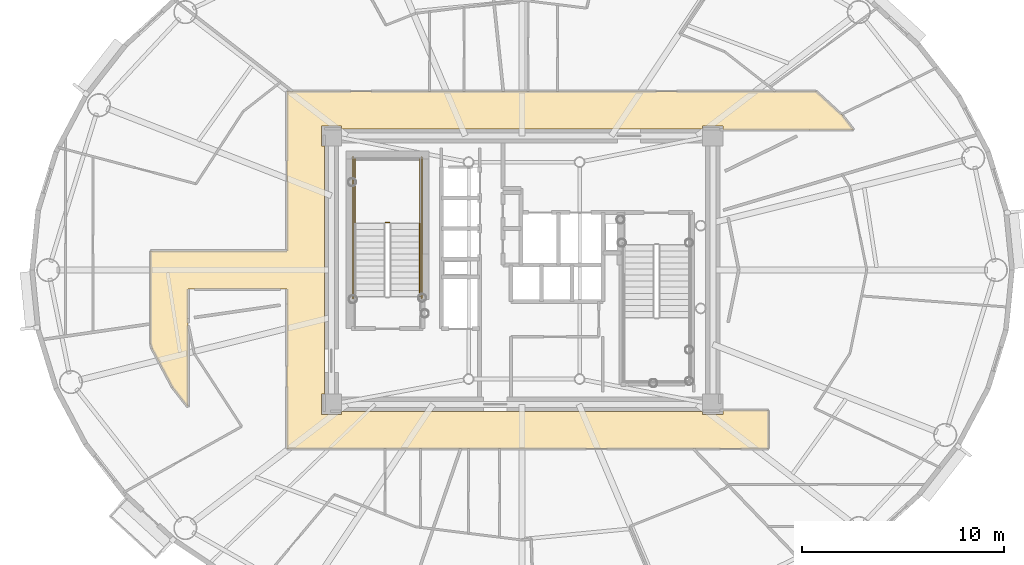
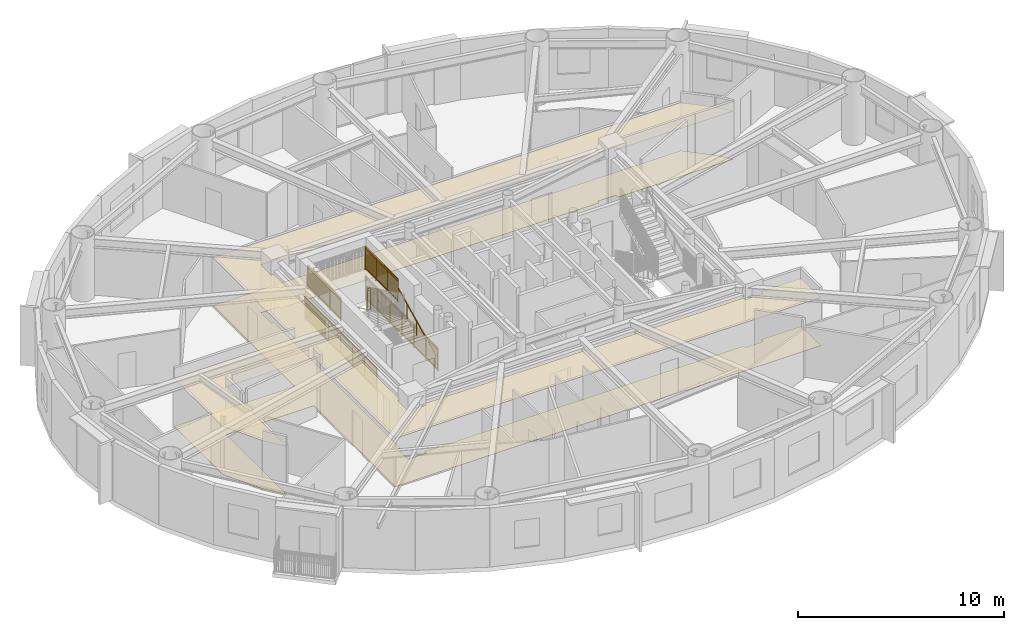
# One storey, part 14 of 18: 6 railings, 2 coverings.
"""IFC4 building model written with IfcOpenShell, lengths in metres."""

from ifc_helpers import new_model, si_unit, direction, frame, origin, origin_2d, place, context, subcontext, project, spatial, polyline, rectangle, outline, extrude, source, transform, mapped, material, layer, layer_set, type_object, element, save


model = new_model("IFC4")

# Units and contexts
model_context = context("Model", 3, precision=1e-05, world=origin(), true_north=direction((0.0, 1.0)))
body_context = subcontext(model_context, "Body", "Model", "MODEL_VIEW")
ifc_project = project(units=[si_unit("LENGTHUNIT", "METRE"), si_unit("AREAUNIT", "SQUARE_METRE"), si_unit("VOLUMEUNIT", "CUBIC_METRE"), si_unit("PLANEANGLEUNIT", "RADIAN"), si_unit("MASSUNIT", "GRAM", prefix="KILO")], contexts=[model_context])

# Site, building, storey
site_placement = place(None, origin())
site = spatial("IfcSite", under=ifc_project, at=site_placement, CompositionType="ELEMENT")
building_placement = place(site_placement, origin())
building = spatial("IfcBuilding", under=site, at=building_placement, Name="Linh Dai School and Residence Tower", CompositionType="ELEMENT")
storey_placement = place(building_placement, frame((0.0, 0.0, 240.300048828125)))
storey = spatial("IfcBuildingStorey", under=building, at=storey_placement, Name="L59", CompositionType="ELEMENT", Elevation=240.300048828125)

# Coverings
ifc_material_1 = material(Name="Mineral Fibre Acoustic Suspended Ceiling", Category="masonry")
ifc_layer_1 = layer(ifc_material_1, 0.02001953125)
ifc_layer_set_1 = layer_set([ifc_layer_1], Name="Mineral Fibre Acoustic Suspended Ceiling")
covering_type_1 = type_object("IfcCoveringType", Name="COV-CEIL-AC-20", PredefinedType="CEILING", material=ifc_layer_set_1)
covering_1_placement = place(storey_placement, frame((0.0, 0.0, 2.849853515625)))
element("IfcCovering", 1, at=covering_1_placement, inside=storey, type_object=covering_type_1, Name="L59 Residential Floor Corridor Suspended Ceiling", PredefinedType="CEILING", context=body_context, shape_type="SweptSolid", body=[
    extrude(outline(polyline([(19.449951171875, 20.211181640625), (18.6806640625, 21.1943359375), (17.66650390625, 23.111083984375), (17.60009765625, 23.327880859375), (17.60009765625, 27.949951171875), (24.35009765625, 27.949951171875), (24.35009765625, 35.85009765625), (50.56787109375, 35.85009765625), (51.873779296875, 34.65283203125), (52.423828125, 33.949951171875), (45.949951171875, 33.949951171875), (45.949951171875, 34.14990234375), (44.949951171875, 34.14990234375), (44.949951171875, 34.0), (27.050048828125, 34.0), (27.050048828125, 34.14990234375), (26.050048828125, 34.14990234375), (26.050048828125, 33.14990234375), (26.199951171875, 33.14990234375), (26.199951171875, 20.85009765625), (26.050048828125, 20.85009765625), (26.050048828125, 19.85009765625), (27.050048828125, 19.85009765625), (27.050048828125, 20.0), (44.949951171875, 20.0), (44.949951171875, 19.85009765625), (45.949951171875, 19.85009765625), (45.949951171875, 20.050048828125), (48.199951171875, 20.050048828125), (48.199951171875, 18.14990234375), (24.35009765625, 18.14990234375), (24.35009765625, 26.050048828125), (19.449951171875, 26.050048828125), (19.449951171875, 20.211181640625)])), origin(), (0.0, 0.0, 1.0), 0.02001953125),
])
ifc_material_2 = material(Name="Polished Terrazzo Floor Finish", Category="masonry")
ifc_layer_2 = layer(ifc_material_2, 0.02490234375)
ifc_layer_set_2 = layer_set([ifc_layer_2], Name="Polished Terrazzo Floor Finish")
covering_type_2 = type_object("IfcCoveringType", Name="COV-FLR-TRZ-25", PredefinedType="FLOORING", material=ifc_layer_set_2)
covering_2_placement = place(storey_placement, origin())
element("IfcCovering", 2, at=covering_2_placement, inside=storey, type_object=covering_type_2, Name="L59 Residential Floor Corridor Floor Finish", PredefinedType="FLOORING", context=body_context, shape_type="SweptSolid", body=[
    extrude(outline(polyline([(19.449951171875, 20.211181640625), (18.6806640625, 21.1943359375), (17.66650390625, 23.111083984375), (17.60009765625, 23.327880859375), (17.60009765625, 27.949951171875), (24.35009765625, 27.949951171875), (24.35009765625, 35.85009765625), (50.56787109375, 35.85009765625), (51.873779296875, 34.65283203125), (52.423828125, 33.949951171875), (45.949951171875, 33.949951171875), (45.949951171875, 34.14990234375), (44.949951171875, 34.14990234375), (44.949951171875, 34.0), (27.050048828125, 34.0), (27.050048828125, 34.14990234375), (26.050048828125, 34.14990234375), (26.050048828125, 33.14990234375), (26.199951171875, 33.14990234375), (26.199951171875, 20.85009765625), (26.050048828125, 20.85009765625), (26.050048828125, 19.85009765625), (27.050048828125, 19.85009765625), (27.050048828125, 20.0), (44.949951171875, 20.0), (44.949951171875, 19.85009765625), (45.949951171875, 19.85009765625), (45.949951171875, 20.050048828125), (48.199951171875, 20.050048828125), (48.199951171875, 18.14990234375), (24.35009765625, 18.14990234375), (24.35009765625, 26.050048828125), (19.449951171875, 26.050048828125), (19.449951171875, 20.211181640625)])), origin(), (0.0, 0.0, 1.0), 0.02001953125),
])

# Railings
ifc_material_3 = material(Name="Structural Steel S355JR", Category="steel")
railing_type_1 = type_object("IfcRailingType", Name="RL-ST-GUARD-1400", PredefinedType="GUARDRAIL", material=ifc_material_3)
shared_shape_1 = source(origin(), body_context, "Body", "SweptSolid", [
    extrude(rectangle(XDim=0.048095703125, YDim=0.048095703125, at=origin_2d()), frame((0.0, 0.0, 1.3759765625), z_axis=(-1.0, 0.0, 0.0), x_axis=(0.0, -1.0, 0.0)), (0.0, 0.0, 1.0), 0.199951171875),
    extrude(rectangle(XDim=0.048095703125, YDim=0.048095703125, at=origin_2d()), frame((0.0, 0.0, 0.10009765625), z_axis=(-1.0, 0.0, 0.0), x_axis=(0.0, -1.0, 0.0)), (0.0, 0.0, 1.0), 0.199951171875),
    extrude(rectangle(XDim=0.030029296875, YDim=0.030029296875, at=origin_2d()), frame((0.0, 0.0, 1.239990234375), z_axis=(-1.0, 0.0, 0.0), x_axis=(0.0, -1.0, 0.0)), (0.0, 0.0, 1.0), 0.199951171875),
    extrude(rectangle(XDim=0.0419921875, YDim=0.0419921875, at=origin_2d()), origin(), (0.0, 0.0, 1.0), 1.3759765625),
    extrude(rectangle(XDim=0.0419921875, YDim=0.0419921875, at=origin_2d()), frame((-0.199951171875, 0.0, 0.0)), (0.0, 0.0, 1.0), 1.3759765625),
])
railing_1_placement = place(storey_placement, frame((29.429931640625, 29.35009765625, 1.875)))
element("IfcRailing", 3, at=railing_1_placement, inside=storey, type_object=railing_type_1, Name="L59 ST1 stair guard 2", PredefinedType="GUARDRAIL", context=body_context, shape_type="MappedRepresentation", body=[
    mapped(shared_shape_1, transform((0.0, 0.0, 0.0), x_axis=(1.0, 0.0, 0.0), y_axis=(0.0, 1.0, 0.0), z_axis=(0.0, 0.0, 1.0), scale=1.0)),
])
shared_shape_2 = source(origin(), body_context, "Body", "SweptSolid", [
    extrude(rectangle(XDim=0.048095703125, YDim=0.048095703125, at=origin_2d()), frame((0.0, 0.0, 1.3759765625), z_axis=(0.0, 1.0, 0.0), x_axis=(-1.0, 0.0, 0.0)), (0.0, 0.0, 1.0), 7.0),
    extrude(rectangle(XDim=0.048095703125, YDim=0.048095703125, at=origin_2d()), frame((0.0, 0.0, 0.10009765625), z_axis=(0.0, 1.0, 0.0), x_axis=(-1.0, 0.0, 0.0)), (0.0, 0.0, 1.0), 7.0),
    extrude(rectangle(XDim=0.030029296875, YDim=0.030029296875, at=origin_2d()), frame((0.0, 0.0, 1.239990234375), z_axis=(0.0, 1.0, 0.0), x_axis=(-1.0, 0.0, 0.0)), (0.0, 0.0, 1.0), 7.0),
    extrude(rectangle(XDim=0.02001953125, YDim=0.02001953125, at=origin_2d()), frame((0.0, 0.09716796875, 0.10009765625)), (0.0, 0.0, 1.0), 1.251708984375),
    extrude(rectangle(XDim=0.02001953125, YDim=0.02001953125, at=origin_2d()), frame((0.0, 0.1943359375, 0.10009765625)), (0.0, 0.0, 1.0), 1.251708984375),
    extrude(rectangle(XDim=0.02001953125, YDim=0.02001953125, at=origin_2d()), frame((0.0, 0.291748046875, 0.10009765625)), (0.0, 0.0, 1.0), 1.251708984375),
    extrude(rectangle(XDim=0.02001953125, YDim=0.02001953125, at=origin_2d()), frame((0.0, 0.388916015625, 0.10009765625)), (0.0, 0.0, 1.0), 1.251708984375),
    extrude(rectangle(XDim=0.02001953125, YDim=0.02001953125, at=origin_2d()), frame((0.0, 0.486083984375, 0.10009765625)), (0.0, 0.0, 1.0), 1.251708984375),
    extrude(rectangle(XDim=0.02001953125, YDim=0.02001953125, at=origin_2d()), frame((0.0, 0.583251953125, 0.10009765625)), (0.0, 0.0, 1.0), 1.251708984375),
    extrude(rectangle(XDim=0.02001953125, YDim=0.02001953125, at=origin_2d()), frame((0.0, 0.6806640625, 0.10009765625)), (0.0, 0.0, 1.0), 1.251708984375),
    extrude(rectangle(XDim=0.02001953125, YDim=0.02001953125, at=origin_2d()), frame((0.0, 0.77783203125, 0.10009765625)), (0.0, 0.0, 1.0), 1.251708984375),
    extrude(rectangle(XDim=0.02001953125, YDim=0.02001953125, at=origin_2d()), frame((0.0, 0.875, 0.10009765625)), (0.0, 0.0, 1.0), 1.251708984375),
    extrude(rectangle(XDim=0.02001953125, YDim=0.02001953125, at=origin_2d()), frame((0.0, 0.97216796875, 0.10009765625)), (0.0, 0.0, 1.0), 1.251708984375),
    extrude(rectangle(XDim=0.02001953125, YDim=0.02001953125, at=origin_2d()), frame((0.0, 1.0693359375, 0.10009765625)), (0.0, 0.0, 1.0), 1.251708984375),
    extrude(rectangle(XDim=0.02001953125, YDim=0.02001953125, at=origin_2d()), frame((0.0, 1.263916015625, 0.10009765625)), (0.0, 0.0, 1.0), 1.251708984375),
    extrude(rectangle(XDim=0.02001953125, YDim=0.02001953125, at=origin_2d()), frame((0.0, 1.361083984375, 0.10009765625)), (0.0, 0.0, 1.0), 1.251708984375),
    extrude(rectangle(XDim=0.02001953125, YDim=0.02001953125, at=origin_2d()), frame((0.0, 1.458251953125, 0.10009765625)), (0.0, 0.0, 1.0), 1.251708984375),
    extrude(rectangle(XDim=0.02001953125, YDim=0.02001953125, at=origin_2d()), frame((0.0, 1.5556640625, 0.10009765625)), (0.0, 0.0, 1.0), 1.251708984375),
    extrude(rectangle(XDim=0.02001953125, YDim=0.02001953125, at=origin_2d()), frame((0.0, 1.65283203125, 0.10009765625)), (0.0, 0.0, 1.0), 1.251708984375),
    extrude(rectangle(XDim=0.02001953125, YDim=0.02001953125, at=origin_2d()), frame((0.0, 1.75, 0.10009765625)), (0.0, 0.0, 1.0), 1.251708984375),
    extrude(rectangle(XDim=0.02001953125, YDim=0.02001953125, at=origin_2d()), frame((0.0, 1.84716796875, 0.10009765625)), (0.0, 0.0, 1.0), 1.251708984375),
    extrude(rectangle(XDim=0.02001953125, YDim=0.02001953125, at=origin_2d()), frame((0.0, 1.9443359375, 0.10009765625)), (0.0, 0.0, 1.0), 1.251708984375),
    extrude(rectangle(XDim=0.02001953125, YDim=0.02001953125, at=origin_2d()), frame((0.0, 2.041748046875, 0.10009765625)), (0.0, 0.0, 1.0), 1.251708984375),
    extrude(rectangle(XDim=0.02001953125, YDim=0.02001953125, at=origin_2d()), frame((0.0, 2.138916015625, 0.10009765625)), (0.0, 0.0, 1.0), 1.251708984375),
    extrude(rectangle(XDim=0.02001953125, YDim=0.02001953125, at=origin_2d()), frame((0.0, 2.236083984375, 0.10009765625)), (0.0, 0.0, 1.0), 1.251708984375),
    extrude(rectangle(XDim=0.02001953125, YDim=0.02001953125, at=origin_2d()), frame((0.0, 2.4306640625, 0.10009765625)), (0.0, 0.0, 1.0), 1.251708984375),
    extrude(rectangle(XDim=0.02001953125, YDim=0.02001953125, at=origin_2d()), frame((0.0, 2.52783203125, 0.10009765625)), (0.0, 0.0, 1.0), 1.251708984375),
    extrude(rectangle(XDim=0.02001953125, YDim=0.02001953125, at=origin_2d()), frame((0.0, 2.625, 0.10009765625)), (0.0, 0.0, 1.0), 1.251708984375),
    extrude(rectangle(XDim=0.02001953125, YDim=0.02001953125, at=origin_2d()), frame((0.0, 2.72216796875, 0.10009765625)), (0.0, 0.0, 1.0), 1.251708984375),
    extrude(rectangle(XDim=0.02001953125, YDim=0.02001953125, at=origin_2d()), frame((0.0, 2.8193359375, 0.10009765625)), (0.0, 0.0, 1.0), 1.251708984375),
    extrude(rectangle(XDim=0.02001953125, YDim=0.02001953125, at=origin_2d()), frame((0.0, 2.916748046875, 0.10009765625)), (0.0, 0.0, 1.0), 1.251708984375),
    extrude(rectangle(XDim=0.02001953125, YDim=0.02001953125, at=origin_2d()), frame((0.0, 3.013916015625, 0.10009765625)), (0.0, 0.0, 1.0), 1.251708984375),
    extrude(rectangle(XDim=0.02001953125, YDim=0.02001953125, at=origin_2d()), frame((0.0, 3.111083984375, 0.10009765625)), (0.0, 0.0, 1.0), 1.251708984375),
    extrude(rectangle(XDim=0.02001953125, YDim=0.02001953125, at=origin_2d()), frame((0.0, 3.208251953125, 0.10009765625)), (0.0, 0.0, 1.0), 1.251708984375),
    extrude(rectangle(XDim=0.02001953125, YDim=0.02001953125, at=origin_2d()), frame((0.0, 3.3056640625, 0.10009765625)), (0.0, 0.0, 1.0), 1.251708984375),
    extrude(rectangle(XDim=0.02001953125, YDim=0.02001953125, at=origin_2d()), frame((0.0, 3.40283203125, 0.10009765625)), (0.0, 0.0, 1.0), 1.251708984375),
    extrude(rectangle(XDim=0.02001953125, YDim=0.02001953125, at=origin_2d()), frame((0.0, 3.59716796875, 0.10009765625)), (0.0, 0.0, 1.0), 1.251708984375),
    extrude(rectangle(XDim=0.02001953125, YDim=0.02001953125, at=origin_2d()), frame((0.0, 3.6943359375, 0.10009765625)), (0.0, 0.0, 1.0), 1.251708984375),
    extrude(rectangle(XDim=0.02001953125, YDim=0.02001953125, at=origin_2d()), frame((0.0, 3.791748046875, 0.10009765625)), (0.0, 0.0, 1.0), 1.251708984375),
    extrude(rectangle(XDim=0.02001953125, YDim=0.02001953125, at=origin_2d()), frame((0.0, 3.888916015625, 0.10009765625)), (0.0, 0.0, 1.0), 1.251708984375),
    extrude(rectangle(XDim=0.02001953125, YDim=0.02001953125, at=origin_2d()), frame((0.0, 3.986083984375, 0.10009765625)), (0.0, 0.0, 1.0), 1.251708984375),
    extrude(rectangle(XDim=0.02001953125, YDim=0.02001953125, at=origin_2d()), frame((0.0, 4.083251953125, 0.10009765625)), (0.0, 0.0, 1.0), 1.251708984375),
    extrude(rectangle(XDim=0.02001953125, YDim=0.02001953125, at=origin_2d()), frame((0.0, 4.1806640625, 0.10009765625)), (0.0, 0.0, 1.0), 1.251708984375),
    extrude(rectangle(XDim=0.02001953125, YDim=0.02001953125, at=origin_2d()), frame((0.0, 4.27783203125, 0.10009765625)), (0.0, 0.0, 1.0), 1.251708984375),
    extrude(rectangle(XDim=0.02001953125, YDim=0.02001953125, at=origin_2d()), frame((0.0, 4.375, 0.10009765625)), (0.0, 0.0, 1.0), 1.251708984375),
    extrude(rectangle(XDim=0.02001953125, YDim=0.02001953125, at=origin_2d()), frame((0.0, 4.47216796875, 0.10009765625)), (0.0, 0.0, 1.0), 1.251708984375),
    extrude(rectangle(XDim=0.02001953125, YDim=0.02001953125, at=origin_2d()), frame((0.0, 4.5693359375, 0.10009765625)), (0.0, 0.0, 1.0), 1.251708984375),
    extrude(rectangle(XDim=0.02001953125, YDim=0.02001953125, at=origin_2d()), frame((0.0, 4.763916015625, 0.10009765625)), (0.0, 0.0, 1.0), 1.251708984375),
    extrude(rectangle(XDim=0.02001953125, YDim=0.02001953125, at=origin_2d()), frame((0.0, 4.861083984375, 0.10009765625)), (0.0, 0.0, 1.0), 1.251708984375),
    extrude(rectangle(XDim=0.02001953125, YDim=0.02001953125, at=origin_2d()), frame((0.0, 4.958251953125, 0.10009765625)), (0.0, 0.0, 1.0), 1.251708984375),
    extrude(rectangle(XDim=0.02001953125, YDim=0.02001953125, at=origin_2d()), frame((0.0, 5.0556640625, 0.10009765625)), (0.0, 0.0, 1.0), 1.251708984375),
    extrude(rectangle(XDim=0.02001953125, YDim=0.02001953125, at=origin_2d()), frame((0.0, 5.15283203125, 0.10009765625)), (0.0, 0.0, 1.0), 1.251708984375),
    extrude(rectangle(XDim=0.02001953125, YDim=0.02001953125, at=origin_2d()), frame((0.0, 5.25, 0.10009765625)), (0.0, 0.0, 1.0), 1.251708984375),
    extrude(rectangle(XDim=0.02001953125, YDim=0.02001953125, at=origin_2d()), frame((0.0, 5.34716796875, 0.10009765625)), (0.0, 0.0, 1.0), 1.251708984375),
    extrude(rectangle(XDim=0.02001953125, YDim=0.02001953125, at=origin_2d()), frame((0.0, 5.4443359375, 0.10009765625)), (0.0, 0.0, 1.0), 1.251708984375),
    extrude(rectangle(XDim=0.02001953125, YDim=0.02001953125, at=origin_2d()), frame((0.0, 5.541748046875, 0.10009765625)), (0.0, 0.0, 1.0), 1.251708984375),
    extrude(rectangle(XDim=0.02001953125, YDim=0.02001953125, at=origin_2d()), frame((0.0, 5.638916015625, 0.10009765625)), (0.0, 0.0, 1.0), 1.251708984375),
    extrude(rectangle(XDim=0.02001953125, YDim=0.02001953125, at=origin_2d()), frame((0.0, 5.736083984375, 0.10009765625)), (0.0, 0.0, 1.0), 1.251708984375),
    extrude(rectangle(XDim=0.02001953125, YDim=0.02001953125, at=origin_2d()), frame((0.0, 5.9306640625, 0.10009765625)), (0.0, 0.0, 1.0), 1.251708984375),
    extrude(rectangle(XDim=0.02001953125, YDim=0.02001953125, at=origin_2d()), frame((0.0, 6.02783203125, 0.10009765625)), (0.0, 0.0, 1.0), 1.251708984375),
    extrude(rectangle(XDim=0.02001953125, YDim=0.02001953125, at=origin_2d()), frame((0.0, 6.125, 0.10009765625)), (0.0, 0.0, 1.0), 1.251708984375),
    extrude(rectangle(XDim=0.02001953125, YDim=0.02001953125, at=origin_2d()), frame((0.0, 6.22216796875, 0.10009765625)), (0.0, 0.0, 1.0), 1.251708984375),
    extrude(rectangle(XDim=0.02001953125, YDim=0.02001953125, at=origin_2d()), frame((0.0, 6.3193359375, 0.10009765625)), (0.0, 0.0, 1.0), 1.251708984375),
    extrude(rectangle(XDim=0.02001953125, YDim=0.02001953125, at=origin_2d()), frame((0.0, 6.416748046875, 0.10009765625)), (0.0, 0.0, 1.0), 1.251708984375),
    extrude(rectangle(XDim=0.02001953125, YDim=0.02001953125, at=origin_2d()), frame((0.0, 6.513916015625, 0.10009765625)), (0.0, 0.0, 1.0), 1.251708984375),
    extrude(rectangle(XDim=0.02001953125, YDim=0.02001953125, at=origin_2d()), frame((0.0, 6.611083984375, 0.10009765625)), (0.0, 0.0, 1.0), 1.251708984375),
    extrude(rectangle(XDim=0.02001953125, YDim=0.02001953125, at=origin_2d()), frame((0.0, 6.708251953125, 0.10009765625)), (0.0, 0.0, 1.0), 1.251708984375),
    extrude(rectangle(XDim=0.02001953125, YDim=0.02001953125, at=origin_2d()), frame((0.0, 6.8056640625, 0.10009765625)), (0.0, 0.0, 1.0), 1.251708984375),
    extrude(rectangle(XDim=0.02001953125, YDim=0.02001953125, at=origin_2d()), frame((0.0, 6.90283203125, 0.10009765625)), (0.0, 0.0, 1.0), 1.251708984375),
    extrude(rectangle(XDim=0.0419921875, YDim=0.0419921875, at=origin_2d()), origin(), (0.0, 0.0, 1.0), 1.3759765625),
    extrude(rectangle(XDim=0.0419921875, YDim=0.0419921875, at=origin_2d()), frame((0.0, 1.166748046875, 0.0)), (0.0, 0.0, 1.0), 1.3759765625),
    extrude(rectangle(XDim=0.0419921875, YDim=0.0419921875, at=origin_2d()), frame((0.0, 2.333251953125, 0.0)), (0.0, 0.0, 1.0), 1.3759765625),
    extrude(rectangle(XDim=0.0419921875, YDim=0.0419921875, at=origin_2d()), frame((0.0, 3.5, 0.0)), (0.0, 0.0, 1.0), 1.3759765625),
    extrude(rectangle(XDim=0.0419921875, YDim=0.0419921875, at=origin_2d()), frame((0.0, 4.666748046875, 0.0)), (0.0, 0.0, 1.0), 1.3759765625),
    extrude(rectangle(XDim=0.0419921875, YDim=0.0419921875, at=origin_2d()), frame((0.0, 5.833251953125, 0.0)), (0.0, 0.0, 1.0), 1.3759765625),
    extrude(rectangle(XDim=0.0419921875, YDim=0.0419921875, at=origin_2d()), frame((0.0, 7.0, 0.0)), (0.0, 0.0, 1.0), 1.3759765625),
])
for number, where, name in (
    (4, (31.030029296875, 25.60009765625, 0.0), "L59 ST1 stair guard 10"),
    (5, (27.6298828125, 25.60009765625, 0.0), "L59 ST1 stair guard 11"),
):
    element("IfcRailing", number, at=place(storey_placement, frame(where)), inside=storey, type_object=railing_type_1, Name=name, PredefinedType="GUARDRAIL", context=body_context, shape_type="MappedRepresentation", body=[
        mapped(shared_shape_2, transform((0.0, 0.0, 0.0), x_axis=(1.0, 0.0, 0.0), y_axis=(0.0, 1.0, 0.0), z_axis=(0.0, 0.0, 1.0), scale=1.0)),
    ])
shared_shape_3 = source(origin(), body_context, "Body", "SweptSolid", [
    extrude(rectangle(XDim=0.048095703125, YDim=0.048095703125, at=origin_2d()), frame((0.0, 0.0, 1.3759765625), z_axis=(0.0, 1.0, 0.0), x_axis=(-1.0, 0.0, 0.0)), (0.0, 0.0, 1.0), 3.199951171875),
    extrude(rectangle(XDim=0.048095703125, YDim=0.048095703125, at=origin_2d()), frame((0.0, 0.0, 0.10009765625), z_axis=(0.0, 1.0, 0.0), x_axis=(-1.0, 0.0, 0.0)), (0.0, 0.0, 1.0), 3.199951171875),
    extrude(rectangle(XDim=0.030029296875, YDim=0.030029296875, at=origin_2d()), frame((0.0, 0.0, 1.239990234375), z_axis=(0.0, 1.0, 0.0), x_axis=(-1.0, 0.0, 0.0)), (0.0, 0.0, 1.0), 3.199951171875),
    extrude(rectangle(XDim=0.02001953125, YDim=0.02001953125, at=origin_2d()), frame((0.0, 0.096923828125, 0.10009765625)), (0.0, 0.0, 1.0), 1.251708984375),
    extrude(rectangle(XDim=0.02001953125, YDim=0.02001953125, at=origin_2d()), frame((0.0, 0.19384765625, 0.10009765625)), (0.0, 0.0, 1.0), 1.251708984375),
    extrude(rectangle(XDim=0.02001953125, YDim=0.02001953125, at=origin_2d()), frame((0.0, 0.291015625, 0.10009765625)), (0.0, 0.0, 1.0), 1.251708984375),
    extrude(rectangle(XDim=0.02001953125, YDim=0.02001953125, at=origin_2d()), frame((0.0, 0.387939453125, 0.10009765625)), (0.0, 0.0, 1.0), 1.251708984375),
    extrude(rectangle(XDim=0.02001953125, YDim=0.02001953125, at=origin_2d()), frame((0.0, 0.48486328125, 0.10009765625)), (0.0, 0.0, 1.0), 1.251708984375),
    extrude(rectangle(XDim=0.02001953125, YDim=0.02001953125, at=origin_2d()), frame((0.0, 0.581787109375, 0.10009765625)), (0.0, 0.0, 1.0), 1.251708984375),
    extrude(rectangle(XDim=0.02001953125, YDim=0.02001953125, at=origin_2d()), frame((0.0, 0.6787109375, 0.10009765625)), (0.0, 0.0, 1.0), 1.251708984375),
    extrude(rectangle(XDim=0.02001953125, YDim=0.02001953125, at=origin_2d()), frame((0.0, 0.775634765625, 0.10009765625)), (0.0, 0.0, 1.0), 1.251708984375),
    extrude(rectangle(XDim=0.02001953125, YDim=0.02001953125, at=origin_2d()), frame((0.0, 0.872802734375, 0.10009765625)), (0.0, 0.0, 1.0), 1.251708984375),
    extrude(rectangle(XDim=0.02001953125, YDim=0.02001953125, at=origin_2d()), frame((0.0, 0.9697265625, 0.10009765625)), (0.0, 0.0, 1.0), 1.251708984375),
    extrude(rectangle(XDim=0.02001953125, YDim=0.02001953125, at=origin_2d()), frame((0.0, 1.16357421875, 0.10009765625)), (0.0, 0.0, 1.0), 1.251708984375),
    extrude(rectangle(XDim=0.02001953125, YDim=0.02001953125, at=origin_2d()), frame((0.0, 1.260498046875, 0.10009765625)), (0.0, 0.0, 1.0), 1.251708984375),
    extrude(rectangle(XDim=0.02001953125, YDim=0.02001953125, at=origin_2d()), frame((0.0, 1.357666015625, 0.10009765625)), (0.0, 0.0, 1.0), 1.251708984375),
    extrude(rectangle(XDim=0.02001953125, YDim=0.02001953125, at=origin_2d()), frame((0.0, 1.45458984375, 0.10009765625)), (0.0, 0.0, 1.0), 1.251708984375),
    extrude(rectangle(XDim=0.02001953125, YDim=0.02001953125, at=origin_2d()), frame((0.0, 1.551513671875, 0.10009765625)), (0.0, 0.0, 1.0), 1.251708984375),
    extrude(rectangle(XDim=0.02001953125, YDim=0.02001953125, at=origin_2d()), frame((0.0, 1.6484375, 0.10009765625)), (0.0, 0.0, 1.0), 1.251708984375),
    extrude(rectangle(XDim=0.02001953125, YDim=0.02001953125, at=origin_2d()), frame((0.0, 1.745361328125, 0.10009765625)), (0.0, 0.0, 1.0), 1.251708984375),
    extrude(rectangle(XDim=0.02001953125, YDim=0.02001953125, at=origin_2d()), frame((0.0, 1.84228515625, 0.10009765625)), (0.0, 0.0, 1.0), 1.251708984375),
    extrude(rectangle(XDim=0.02001953125, YDim=0.02001953125, at=origin_2d()), frame((0.0, 1.939453125, 0.10009765625)), (0.0, 0.0, 1.0), 1.251708984375),
    extrude(rectangle(XDim=0.02001953125, YDim=0.02001953125, at=origin_2d()), frame((0.0, 2.036376953125, 0.10009765625)), (0.0, 0.0, 1.0), 1.251708984375),
    extrude(rectangle(XDim=0.02001953125, YDim=0.02001953125, at=origin_2d()), frame((0.0, 2.230224609375, 0.10009765625)), (0.0, 0.0, 1.0), 1.251708984375),
    extrude(rectangle(XDim=0.02001953125, YDim=0.02001953125, at=origin_2d()), frame((0.0, 2.3271484375, 0.10009765625)), (0.0, 0.0, 1.0), 1.251708984375),
    extrude(rectangle(XDim=0.02001953125, YDim=0.02001953125, at=origin_2d()), frame((0.0, 2.42431640625, 0.10009765625)), (0.0, 0.0, 1.0), 1.251708984375),
    extrude(rectangle(XDim=0.02001953125, YDim=0.02001953125, at=origin_2d()), frame((0.0, 2.521240234375, 0.10009765625)), (0.0, 0.0, 1.0), 1.251708984375),
    extrude(rectangle(XDim=0.02001953125, YDim=0.02001953125, at=origin_2d()), frame((0.0, 2.6181640625, 0.10009765625)), (0.0, 0.0, 1.0), 1.251708984375),
    extrude(rectangle(XDim=0.02001953125, YDim=0.02001953125, at=origin_2d()), frame((0.0, 2.715087890625, 0.10009765625)), (0.0, 0.0, 1.0), 1.251708984375),
    extrude(rectangle(XDim=0.02001953125, YDim=0.02001953125, at=origin_2d()), frame((0.0, 2.81201171875, 0.10009765625)), (0.0, 0.0, 1.0), 1.251708984375),
    extrude(rectangle(XDim=0.02001953125, YDim=0.02001953125, at=origin_2d()), frame((0.0, 2.908935546875, 0.10009765625)), (0.0, 0.0, 1.0), 1.251708984375),
    extrude(rectangle(XDim=0.02001953125, YDim=0.02001953125, at=origin_2d()), frame((0.0, 3.006103515625, 0.10009765625)), (0.0, 0.0, 1.0), 1.251708984375),
    extrude(rectangle(XDim=0.02001953125, YDim=0.02001953125, at=origin_2d()), frame((0.0, 3.10302734375, 0.10009765625)), (0.0, 0.0, 1.0), 1.251708984375),
    extrude(rectangle(XDim=0.0419921875, YDim=0.0419921875, at=origin_2d()), origin(), (0.0, 0.0, 1.0), 1.3759765625),
    extrude(rectangle(XDim=0.0419921875, YDim=0.0419921875, at=origin_2d()), frame((0.0, 1.066650390625, 0.0)), (0.0, 0.0, 1.0), 1.3759765625),
    extrude(rectangle(XDim=0.0419921875, YDim=0.0419921875, at=origin_2d()), frame((0.0, 2.13330078125, 0.0)), (0.0, 0.0, 1.0), 1.3759765625),
    extrude(rectangle(XDim=0.0419921875, YDim=0.0419921875, at=origin_2d()), frame((0.0, 3.199951171875, 0.0)), (0.0, 0.0, 1.0), 1.3759765625),
])
for number, where, name in (
    (6, (30.929931640625, 29.300048828125, 1.875), "L59 ST1 stair guard 3"),
    (7, (27.72998046875, 29.300048828125, 1.875), "L59 ST1 stair guard 4"),
):
    element("IfcRailing", number, at=place(storey_placement, frame(where)), inside=storey, type_object=railing_type_1, Name=name, PredefinedType="GUARDRAIL", context=body_context, shape_type="MappedRepresentation", body=[
        mapped(shared_shape_3, transform((0.0, 0.0, 0.0), x_axis=(1.0, 0.0, 0.0), y_axis=(0.0, 1.0, 0.0), z_axis=(0.0, 0.0, 1.0), scale=1.0)),
    ])
ifc_material_4 = material(Name="Brushed Stainless Steel Handrail", Category="steel")
railing_type_2 = type_object("IfcRailingType", Name="RL-ST-HANDRAIL-900", PredefinedType="HANDRAIL", material=ifc_material_4)
shared_shape_4 = source(origin(), body_context, "Body", "SweptSolid", [
    extrude(rectangle(XDim=0.048095703125, YDim=0.048095703125, at=origin_2d()), frame((0.0, 0.0, 0.8759765625), z_axis=(0.0, 0.901262522062, 0.433273431364), x_axis=(-1.0, 0.0, 0.0)), (0.0, 0.0, 1.0), 3.994384765625),
    extrude(rectangle(XDim=0.0419921875, YDim=0.0419921875, at=origin_2d()), origin(), (0.0, 0.0, 1.0), 0.8759765625),
    extrude(rectangle(XDim=0.0419921875, YDim=0.0419921875, at=origin_2d()), frame((0.0, 0.89990234375, 0.4326171875)), (0.0, 0.0, 1.0), 0.8759765625),
    extrude(rectangle(XDim=0.0419921875, YDim=0.0419921875, at=origin_2d()), frame((0.0, 1.800048828125, 0.865234375)), (0.0, 0.0, 1.0), 0.8759765625),
    extrude(rectangle(XDim=0.0419921875, YDim=0.0419921875, at=origin_2d()), frame((0.0, 2.7001953125, 1.298095703125)), (0.0, 0.0, 1.0), 0.8759765625),
    extrude(rectangle(XDim=0.0419921875, YDim=0.0419921875, at=origin_2d()), frame((0.0, 3.60009765625, 1.730712890625)), (0.0, 0.0, 1.0), 0.8759765625),
])
railing_2_placement = place(storey_placement, frame((30.929931640625, 25.699951171875, 0.144287109375)))
element("IfcRailing", 8, at=railing_2_placement, inside=storey, type_object=railing_type_2, Name="L59 ST1 stair handrail 1", PredefinedType="HANDRAIL", context=body_context, shape_type="MappedRepresentation", body=[
    mapped(shared_shape_4, transform((0.0, 0.0, 0.0), x_axis=(1.0, 0.0, 0.0), y_axis=(0.0, 1.0, 0.0), z_axis=(0.0, 0.0, 1.0), scale=1.0)),
])

save(model, "model.ifc")
